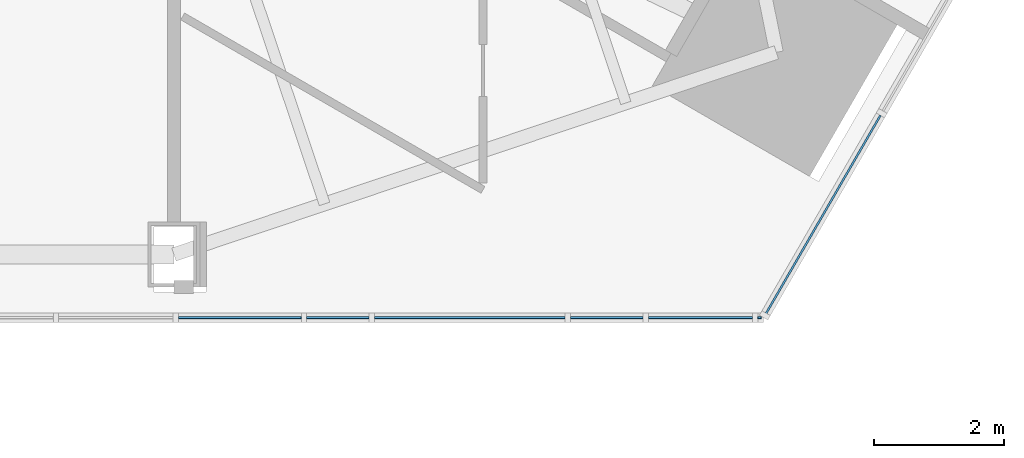
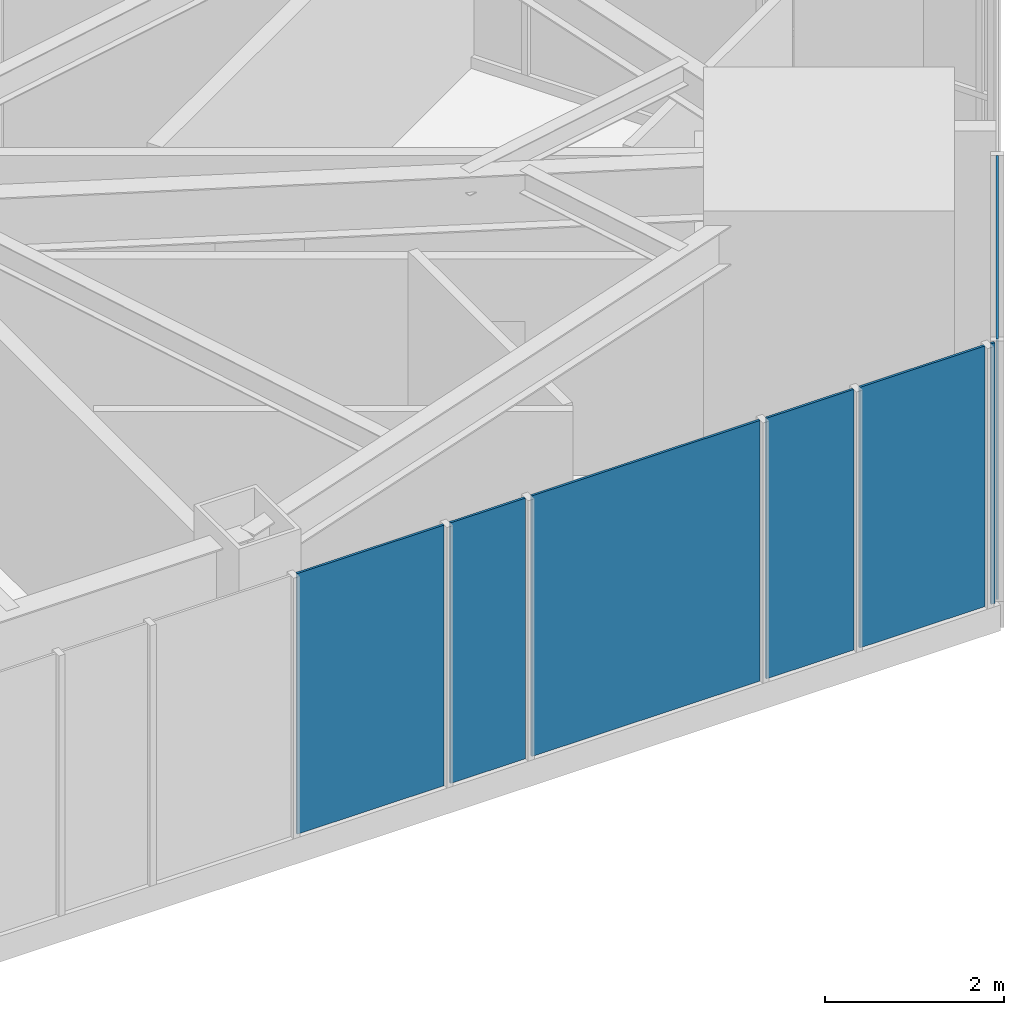
# One storey, part 18 of 35: 7 plates, 2 elements without a shape of their own.
"""IFC4 building model written with IfcOpenShell, lengths in metres."""

from ifc_helpers import new_model, si_unit, direction, frame, origin, place, context, subcontext, project, spatial, polyline, outline, extrude, material, layer, layer_set, type_object, element, aggregate, save


model = new_model("IFC4")

# Units and contexts
model_context = context("Model", 3, precision=1e-05, world=origin(), true_north=direction((0.0, 1.0)))
body_context = subcontext(model_context, "Body", "Model", "MODEL_VIEW")
ifc_project = project(units=[si_unit("LENGTHUNIT", "METRE"), si_unit("AREAUNIT", "SQUARE_METRE"), si_unit("VOLUMEUNIT", "CUBIC_METRE"), si_unit("PLANEANGLEUNIT", "RADIAN"), si_unit("MASSUNIT", "GRAM", prefix="KILO")], contexts=[model_context])

# Site, building, storey
site_placement = place(None, origin())
site = spatial("IfcSite", under=ifc_project, at=site_placement, CompositionType="ELEMENT")
building_placement = place(site_placement, origin())
building = spatial("IfcBuilding", under=site, at=building_placement, Name="Firuza Gate Tower and Library", CompositionType="ELEMENT")
storey_placement = place(building_placement, frame((0.0, 0.0, 159.699951171875)))
storey = spatial("IfcBuildingStorey", under=building, at=storey_placement, Name="L36", CompositionType="ELEMENT", Elevation=159.699951171875)

# Curtain wall, plate
ifc_material_1 = material(Name="Aluminium 6063-T6", Category="aluminium")
ifc_layer_1 = layer(ifc_material_1, 0.14990234375)
ifc_layer_set_1 = layer_set([ifc_layer_1], Name="Corner curtain wall, chamfers")
curtain_wall_type_1 = type_object("IfcCurtainWallType", Name="Corner curtain wall, chamfers", PredefinedType="NOTDEFINED", material=ifc_layer_set_1)
placement = place(storey_placement, origin())
curtain_wall_1 = element("IfcCurtainWall", 1, at=placement, inside=storey, type_object=curtain_wall_type_1, Name="CW4 L36 SE corner", PredefinedType="NOTDEFINED")
ifc_material_2 = material(Name="Fritted glass", Category="glass")
ifc_layer_2 = layer(ifc_material_2, 0.030029296875)
ifc_layer_set_2 = layer_set([ifc_layer_2], Name="Fritted glass unit, corners")
plate_type_1 = type_object("IfcPlateType", Name="Fritted glass unit, corners", PredefinedType="CURTAIN_PANEL", material=ifc_layer_set_2)
plate_1_placement = place(storey_placement, frame((102.23828125, 55.11328125, 0.150146484375), z_axis=(0.866046390552, -0.49996364809, 0.0), x_axis=(0.49996364809, 0.866046390552, 0.0)))
plate_1 = element("IfcPlate", 2, at=plate_1_placement, type_object=plate_type_1, Name="Glass unit", PredefinedType="CURTAIN_PANEL", context=body_context, shape_type="SweptSolid", body=[
    extrude(outline(polyline([(0.0, 0.0), (3.563247342942594, 0.0), (3.563247342942594, 3.5498046875), (0.0, 3.5498046875), (0.0, 0.0)])), origin(), (0.0, 0.0, -1.0), 0.030029296875),
])
aggregate(curtain_wall_1, [plate_1])

# Curtain wall, plates
ifc_material_3 = material(Name="Aluminium 6063-T6", Category="aluminium")
ifc_layer_3 = layer(ifc_material_3, 0.14990234375)
ifc_layer_set_3 = layer_set([ifc_layer_3], Name="Unitised curtain wall, hotel")
curtain_wall_type_2 = type_object("IfcCurtainWallType", Name="Unitised curtain wall, hotel", PredefinedType="NOTDEFINED", material=ifc_layer_set_3)
curtain_wall_2 = element("IfcCurtainWall", 3, at=placement, inside=storey, type_object=curtain_wall_type_2, Name="CW2 L36 S face", PredefinedType="NOTDEFINED")
ifc_material_4 = material(Name="Fritted glass", Category="glass")
ifc_layer_4 = layer(ifc_material_4, 0.030029296875)
ifc_layer_set_4 = layer_set([ifc_layer_4], Name="Fritted glass unit, hotel")
plate_type_2 = type_object("IfcPlateType", Name="Fritted glass unit, hotel", PredefinedType="CURTAIN_PANEL", material=ifc_layer_set_4)
plate_2_placement = place(storey_placement, frame((93.1767578125, 55.071044921875, 0.150146484375), z_axis=(0.0, -1.0, 0.0), x_axis=(1.0, 0.0, 0.0)))
plate_2 = element("IfcPlate", 4, at=plate_2_placement, type_object=plate_type_2, Name="Glass unit", PredefinedType="CURTAIN_PANEL", context=body_context, shape_type="SweptSolid", body=[
    extrude(outline(polyline([(0.0, 0.0), (1.8955078125, 0.0), (1.8955078125, 3.5498046875), (0.0, 3.5498046875), (0.0, 0.0)])), origin(), (0.0, 0.0, -1.0), 0.030029296875),
])
plate_3_placement = place(storey_placement, frame((100.427734375, 55.071044921875, 0.150146484375), z_axis=(0.0, -1.0, 0.0), x_axis=(1.0, 0.0, 0.0)))
plate_3 = element("IfcPlate", 5, at=plate_3_placement, type_object=plate_type_2, Name="Glass unit", PredefinedType="CURTAIN_PANEL", context=body_context, shape_type="SweptSolid", body=[
    extrude(outline(polyline([(0.0, 0.0), (1.609375, 0.0), (1.609375, 3.5498046875), (0.0, 3.5498046875), (0.0, 0.0)])), origin(), (0.0, 0.0, -1.0), 0.030029296875),
])
ifc_material_5 = material(Name="Glazed ceramic tile")
ifc_layer_5 = layer(ifc_material_5, 0.030029296875)
ifc_layer_set_5 = layer_set([ifc_layer_5], Name="Opaque ceramic panel, hotel")
plate_type_3 = type_object("IfcPlateType", Name="Opaque ceramic panel, hotel", PredefinedType="CURTAIN_PANEL", material=ifc_layer_set_5)
plate_4_placement = place(storey_placement, frame((95.15234375, 55.071044921875, 0.150146484375), z_axis=(0.0, -1.0, 0.0), x_axis=(1.0, 0.0, 0.0)))
plate_4 = element("IfcPlate", 6, at=plate_4_placement, type_object=plate_type_3, Name="Opaque ceramic panel", PredefinedType="CURTAIN_PANEL", context=body_context, shape_type="SweptSolid", body=[
    extrude(outline(polyline([(0.0, 0.0), (0.96728515625, 0.0), (0.96728515625, 3.5498046875), (0.0, 3.5498046875), (0.0, 0.0)])), origin(), (0.0, 0.0, -1.0), 0.030029296875),
])
plate_5_placement = place(storey_placement, frame((96.19970703125, 55.071044921875, 0.150146484375), z_axis=(0.0, -1.0, 0.0), x_axis=(1.0, 0.0, 0.0)))
plate_5 = element("IfcPlate", 7, at=plate_5_placement, type_object=plate_type_3, Name="Opaque ceramic panel", PredefinedType="CURTAIN_PANEL", context=body_context, shape_type="SweptSolid", body=[
    extrude(outline(polyline([(0.0, 0.0), (2.942626953125, 0.0), (2.942626953125, 3.5498046875), (0.0, 3.5498046875), (0.0, 0.0)])), origin(), (0.0, 0.0, -1.0), 0.030029296875),
])
plate_6_placement = place(storey_placement, frame((99.222412109375, 55.071044921875, 0.150146484375), z_axis=(0.0, -1.0, 0.0), x_axis=(1.0, 0.0, 0.0)))
plate_6 = element("IfcPlate", 8, at=plate_6_placement, type_object=plate_type_3, Name="Opaque ceramic panel", PredefinedType="CURTAIN_PANEL", context=body_context, shape_type="SweptSolid", body=[
    extrude(outline(polyline([(0.0, 0.0), (1.125244140625, 0.0), (1.125244140625, 3.5498046875), (0.0, 3.5498046875), (0.0, 0.0)])), origin(), (0.0, 0.0, -1.0), 0.030029296875),
])
plate_7_placement = place(storey_placement, frame((102.1171875, 55.071044921875, 0.150146484375), z_axis=(0.0, -1.0, 0.0), x_axis=(1.0, 0.0, 0.0)))
plate_7 = element("IfcPlate", 9, at=plate_7_placement, type_object=plate_type_3, Name="Opaque ceramic panel", PredefinedType="CURTAIN_PANEL", context=body_context, shape_type="SweptSolid", body=[
    extrude(outline(polyline([(0.0, 0.0), (0.048095703125, 0.0), (0.048095703125, 3.5498046875), (0.0, 3.5498046875), (0.0, 0.0)])), origin(), (0.0, 0.0, -1.0), 0.030029296875),
])
aggregate(curtain_wall_2, [plate_2, plate_4, plate_5, plate_6, plate_3, plate_7])

save(model, "model.ifc")
